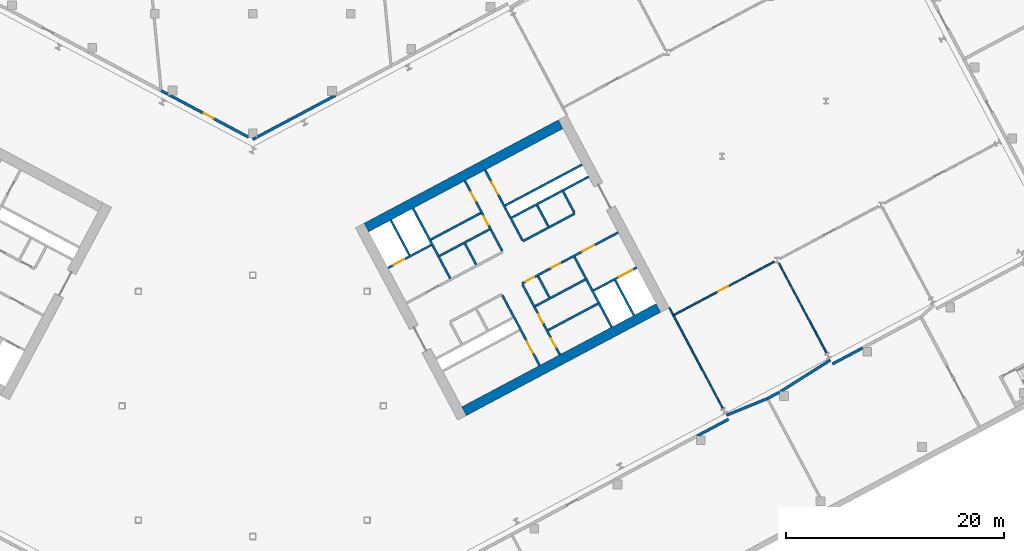
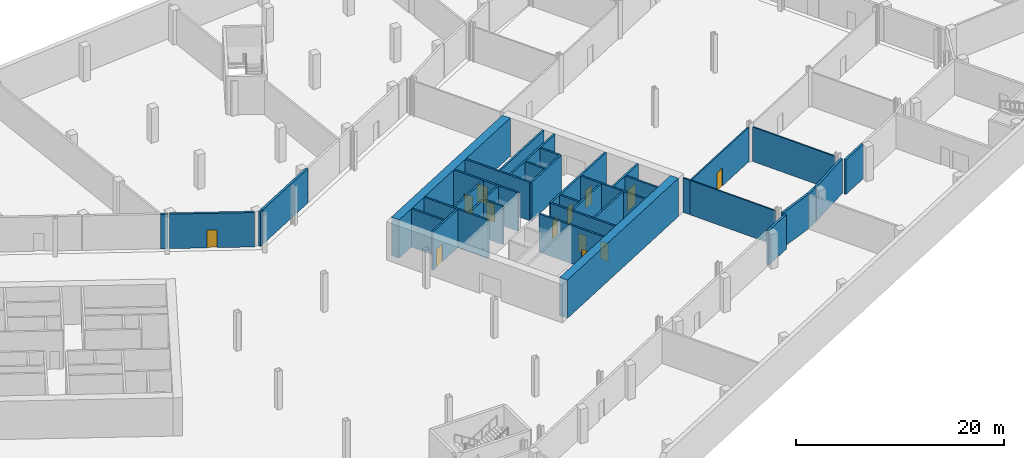
# One storey, part 13 of 27: 37 walls, 13 doors, 13 openings.
"""IFC4 building model written with IfcOpenShell, lengths in metres."""

from ifc_helpers import new_model, si_unit, direction, frame, frame_2d, origin, place, context, subcontext, project, spatial, rectangle, extrude, material, layer, layer_set, type_object, element, fill, save


model = new_model("IFC4")

# Units and contexts
model_context = context("Model", 3, precision=1e-05, world=origin(), true_north=direction((0.0, 1.0)))
body_context = subcontext(model_context, "Body", "Model", "MODEL_VIEW")
ifc_project = project(units=[si_unit("LENGTHUNIT", "METRE"), si_unit("AREAUNIT", "SQUARE_METRE"), si_unit("VOLUMEUNIT", "CUBIC_METRE"), si_unit("PLANEANGLEUNIT", "RADIAN"), si_unit("MASSUNIT", "GRAM", prefix="KILO")], contexts=[model_context])

# Site, building, storey
site_placement = place(None, origin())
site = spatial("IfcSite", under=ifc_project, at=site_placement, CompositionType="ELEMENT")
building_placement = place(site_placement, origin())
building = spatial("IfcBuilding", under=site, at=building_placement, Name="Cormorant Relay Tower", CompositionType="ELEMENT")
storey_placement = place(building_placement, frame((0.0, 0.0, -4.5)))
storey = spatial("IfcBuildingStorey", under=building, at=storey_placement, Name="B1", CompositionType="ELEMENT", Elevation=-4.5)

# Walls
ifc_material_1 = material(Name="Concrete 40 MPa", Category="concrete")
ifc_layer_1 = layer(ifc_material_1, 0.199951171875)
ifc_layer_set_1 = layer_set([ifc_layer_1], Name="Core internal wall 200")
wall_type_1 = type_object("IfcWallType", Name="Core internal wall 200", PredefinedType="SOLIDWALL", material=ifc_layer_set_1)
for number, where, z_axis, x_axis, name in (
    (1, (20.522216796875, 12.950439453125, 0.0), (0.0, 0.0, 1.0), (-0.469401318492, 0.882984938828, 0.0), "B1 core B shaft and room wall"),
    (2, (27.236083984375, 9.951416015625, 0.0), (0.0, 0.0, 1.0), (-0.4694473164, 0.882960484464, 0.0), "B1 core B shaft and room wall"),
    (3, (27.144287109375, 16.471435546875, 0.0), (0.0, 0.0, 1.0), (-0.469401318492, 0.882984938828, 0.0), "B1 core B shaft and room wall"),
):
    element("IfcWall", number, at=place(storey_placement, frame(where, z_axis=z_axis, x_axis=x_axis)), inside=storey, type_object=wall_type_1, Name=name, PredefinedType="SOLIDWALL", context=body_context, shape_type="SweptSolid", body=[
        extrude(rectangle(XDim=2.199951171875, YDim=0.199951171875, at=frame_2d((1.10009765625, 0.0))), origin(), (0.0, 0.0, 1.0), 4.5),
    ])
for number, where, z_axis, x_axis, name in (
    (4, (27.11474609375, 6.942138671875, 0.0), (0.0, 0.0, 1.0), (0.882934506056, 0.469496174655, 0.0), "B1 core B shaft and room wall"),
    (5, (16.3486328125, 15.26171875, 0.0), (0.0, 0.0, 1.0), (0.882953967957, 0.469459572775, 0.0), "B1 core B shaft and room wall"),
):
    element("IfcWall", number, at=place(storey_placement, frame(where, z_axis=z_axis, x_axis=x_axis)), inside=storey, type_object=wall_type_1, Name=name, PredefinedType="SOLIDWALL", context=body_context, shape_type="SweptSolid", body=[
        extrude(rectangle(XDim=5.199951171875, YDim=0.199951171875, at=frame_2d((2.60009765625, 0.0))), origin(), (0.0, 0.0, 1.0), 4.5),
    ])
ifc_material_2 = material(Name="Concrete 50 MPa", Category="concrete")
ifc_layer_2 = layer(ifc_material_2, 0.199951171875)
ifc_layer_set_2 = layer_set([ifc_layer_2], Name="Core shaft wall 200")
wall_type_2 = type_object("IfcWallType", Name="Core shaft wall 200", PredefinedType="SHEAR", material=ifc_layer_set_2)
wall_1_placement = place(storey_placement, frame((14.39404296875, 13.825927734375, 0.0), z_axis=(0.0, 0.0, 1.0), x_axis=(-0.469494272526, 0.882935517501, 0.0)))
element("IfcWall", 6, at=wall_1_placement, inside=storey, type_object=wall_type_2, Name="B1 core B shaft wall", PredefinedType="SHEAR", context=body_context, shape_type="SweptSolid", body=[
    extrude(rectangle(XDim=3.64990234375, YDim=0.199951171875, at=frame_2d((1.824951171875, 0.0))), origin(), (0.0, 0.0, 1.0), 4.5),
])
wall_2_placement = place(storey_placement, frame((18.138427734375, 11.682861328125, 0.0), z_axis=(0.0, 0.0, 1.0), x_axis=(-0.469480409012, 0.88294288918, 0.0)))
element("IfcWall", 7, at=wall_2_placement, inside=storey, type_object=wall_type_2, Name="B1 core B shaft wall", PredefinedType="SHEAR", context=body_context, shape_type="SweptSolid", body=[
    extrude(rectangle(XDim=7.300048828125, YDim=0.199951171875, at=frame_2d((3.64990234375, 0.0))), origin(), (0.0, 0.0, 1.0), 4.5),
])

# Wall, opening, door
wall_3_placement = place(storey_placement, frame((26.345947265625, 3.701904296875, 0.0), z_axis=(0.0, 0.0, 1.0), x_axis=(-0.469480409012, 0.88294288918, 0.0)))
wall_3 = element("IfcWall", 8, at=wall_3_placement, inside=storey, type_object=wall_type_2, Name="B1 core B shaft wall", PredefinedType="SHEAR", context=body_context, shape_type="SweptSolid", body=[
    extrude(rectangle(XDim=7.300048828125, YDim=0.199951171875, at=frame_2d((3.64990234375, 0.0))), origin(), (0.0, 0.0, 1.0), 4.5),
])
opening_1_placement = place(wall_3_placement, frame((1.300048828125, 0.0, 0.0)))
opening_1 = element("IfcOpeningElement", 9, at=opening_1_placement, cuts=wall_3, Name="Opening CDB-003", PredefinedType="OPENING", context=body_context, shape_type="SweptSolid", body=[
    extrude(rectangle(XDim=1.199951171875, YDim=2.10009765625, at=frame_2d((0.60009765625, 1.050048828125))), frame((0.0, 0.10986328125, 0.0), z_axis=(0.0, -1.0, 0.0), x_axis=(1.0, 0.0, 0.0)), (0.0, 0.0, 1.0), 0.219970703125),
])
ifc_material_3 = material(Name="Steel fire door", Category="steel")
door_type_1 = type_object("IfcDoorType", Name="Core stair door 1200x2100", OperationType="SINGLE_SWING_LEFT", PredefinedType="DOOR", material=ifc_material_3)
door_1_placement = place(opening_1_placement, origin())
door_1 = element("IfcDoor", 10, at=door_1_placement, inside=storey, type_object=door_type_1, Name="Core stair door 1200x2100", OperationType="SINGLE_SWING_RIGHT", OverallHeight=2.10009765625, OverallWidth=1.199951171875, PredefinedType="DOOR", context=body_context, shape_type="SweptSolid", body=[
    extrude(rectangle(XDim=1.199951171875, YDim=2.10009765625, at=frame_2d((0.60009765625, 1.050048828125))), frame((0.0, 0.02490234375, 0.0), z_axis=(0.0, -1.0, 0.0), x_axis=(1.0, 0.0, 0.0)), (0.0, 0.0, 1.0), 0.050048828125),
])
fill(opening_1, door_1)

# Wall, openings, doors
wall_4_placement = place(storey_placement, frame((22.90625, 14.218017578125, 0.0), z_axis=(0.0, 0.0, 1.0), x_axis=(-0.469480409012, 0.88294288918, 0.0)))
wall_4 = element("IfcWall", 11, at=wall_4_placement, inside=storey, type_object=wall_type_2, Name="B1 core B shaft wall", PredefinedType="SHEAR", context=body_context, shape_type="SweptSolid", body=[
    extrude(rectangle(XDim=7.300048828125, YDim=0.199951171875, at=frame_2d((3.64990234375, 0.0))), origin(), (0.0, 0.0, 1.0), 4.5),
])
opening_2_placement = place(wall_4_placement, frame((2.699951171875, 0.0, 0.0)))
opening_2 = element("IfcOpeningElement", 12, at=opening_2_placement, cuts=wall_4, Name="Opening CDD-031", PredefinedType="OPENING", context=body_context, shape_type="SweptSolid", body=[
    extrude(rectangle(XDim=0.89990234375, YDim=2.10009765625, at=frame_2d((0.449951171875, 1.050048828125))), frame((0.0, 0.10986328125, 0.0), z_axis=(0.0, -1.0, 0.0), x_axis=(1.0, 0.0, 0.0)), (0.0, 0.0, 1.0), 0.219970703125),
])
opening_3_placement = place(wall_4_placement, frame((5.199951171875, 0.0, 0.0)))
opening_3 = element("IfcOpeningElement", 13, at=opening_3_placement, cuts=wall_4, Name="Opening CDD-032", PredefinedType="OPENING", context=body_context, shape_type="SweptSolid", body=[
    extrude(rectangle(XDim=0.89990234375, YDim=2.10009765625, at=frame_2d((0.449951171875, 1.050048828125))), frame((0.0, 0.10986328125, 0.0), z_axis=(0.0, -1.0, 0.0), x_axis=(1.0, 0.0, 0.0)), (0.0, 0.0, 1.0), 0.219970703125),
])
ifc_material_4 = material(Name="Steel fire door", Category="steel")
door_type_2 = type_object("IfcDoorType", Name="Core room door 900x2100", OperationType="SINGLE_SWING_LEFT", PredefinedType="DOOR", material=ifc_material_4)
door_2_placement = place(opening_2_placement, origin())
door_2 = element("IfcDoor", 14, at=door_2_placement, inside=storey, type_object=door_type_2, Name="Core room door 900x2100", OperationType="SINGLE_SWING_RIGHT", OverallHeight=2.10009765625, OverallWidth=0.89990234375, PredefinedType="DOOR", context=body_context, shape_type="SweptSolid", body=[
    extrude(rectangle(XDim=0.89990234375, YDim=2.10009765625, at=frame_2d((0.449951171875, 1.050048828125))), frame((0.0, 0.02490234375, 0.0), z_axis=(0.0, -1.0, 0.0), x_axis=(1.0, 0.0, 0.0)), (0.0, 0.0, 1.0), 0.050048828125),
])
fill(opening_2, door_2)
door_3_placement = place(opening_3_placement, origin())
door_3 = element("IfcDoor", 15, at=door_3_placement, inside=storey, type_object=door_type_2, Name="Core room door 900x2100", OperationType="SINGLE_SWING_LEFT", OverallHeight=2.10009765625, OverallWidth=0.89990234375, PredefinedType="DOOR", context=body_context, shape_type="SweptSolid", body=[
    extrude(rectangle(XDim=0.89990234375, YDim=2.10009765625, at=frame_2d((0.449951171875, 1.050048828125))), frame((0.0, 0.02490234375, 0.0), z_axis=(0.0, -1.0, 0.0), x_axis=(1.0, 0.0, 0.0)), (0.0, 0.0, 1.0), 0.050048828125),
])
fill(opening_3, door_3)

wall_5_placement = place(storey_placement, frame((28.199951171875, 4.687744140625, 0.0), z_axis=(0.0, 0.0, 1.0), x_axis=(-0.469454336211, 0.882956752176, 0.0)))
wall_5 = element("IfcWall", 16, at=wall_5_placement, inside=storey, type_object=wall_type_2, Name="B1 core B shaft wall", PredefinedType="SHEAR", context=body_context, shape_type="SweptSolid", body=[
    extrude(rectangle(XDim=7.300048828125, YDim=0.199951171875, at=frame_2d((3.64990234375, 0.0))), origin(), (0.0, 0.0, 1.0), 4.5),
])
opening_4_placement = place(wall_5_placement, frame((0.800048828125, 0.0, 0.0)))
opening_4 = element("IfcOpeningElement", 17, at=opening_4_placement, cuts=wall_5, Name="Opening CDD-033", PredefinedType="OPENING", context=body_context, shape_type="SweptSolid", body=[
    extrude(rectangle(XDim=0.89990234375, YDim=2.10009765625, at=frame_2d((0.449951171875, 1.050048828125))), frame((0.0, 0.10986328125, 0.0), z_axis=(0.0, -1.0, 0.0), x_axis=(1.0, 0.0, 0.0)), (0.0, 0.0, 1.0), 0.219970703125),
])
opening_5_placement = place(wall_5_placement, frame((3.300048828125, 0.0, 0.0)))
opening_5 = element("IfcOpeningElement", 18, at=opening_5_placement, cuts=wall_5, Name="Opening CDD-034", PredefinedType="OPENING", context=body_context, shape_type="SweptSolid", body=[
    extrude(rectangle(XDim=0.89990234375, YDim=2.10009765625, at=frame_2d((0.449951171875, 1.050048828125))), frame((0.0, 0.10986328125, 0.0), z_axis=(0.0, -1.0, 0.0), x_axis=(1.0, 0.0, 0.0)), (0.0, 0.0, 1.0), 0.219970703125),
])
door_4_placement = place(opening_4_placement, frame((0.89990234375, 0.0, 0.0), z_axis=(0.0, 0.0, 1.0), x_axis=(-1.0, 0.0, 0.0)))
door_4 = element("IfcDoor", 19, at=door_4_placement, inside=storey, type_object=door_type_2, Name="Core room door 900x2100", OperationType="SINGLE_SWING_LEFT", OverallHeight=2.10009765625, OverallWidth=0.89990234375, PredefinedType="DOOR", context=body_context, shape_type="SweptSolid", body=[
    extrude(rectangle(XDim=0.89990234375, YDim=2.10009765625, at=frame_2d((0.449951171875, 1.050048828125))), frame((0.0, 0.02490234375, 0.0), z_axis=(0.0, -1.0, 0.0), x_axis=(1.0, 0.0, 0.0)), (0.0, 0.0, 1.0), 0.050048828125),
])
fill(opening_4, door_4)
door_5_placement = place(opening_5_placement, frame((0.89990234375, 0.0, 0.0), z_axis=(0.0, 0.0, 1.0), x_axis=(-1.0, 0.0, 0.0)))
door_5 = element("IfcDoor", 20, at=door_5_placement, inside=storey, type_object=door_type_2, Name="Core room door 900x2100", OperationType="SINGLE_SWING_LEFT", OverallHeight=2.10009765625, OverallWidth=0.89990234375, PredefinedType="DOOR", context=body_context, shape_type="SweptSolid", body=[
    extrude(rectangle(XDim=0.89990234375, YDim=2.10009765625, at=frame_2d((0.449951171875, 1.050048828125))), frame((0.0, 0.02490234375, 0.0), z_axis=(0.0, -1.0, 0.0), x_axis=(1.0, 0.0, 0.0)), (0.0, 0.0, 1.0), 0.050048828125),
])
fill(opening_5, door_5)

# Wall, opening, door
wall_6_placement = place(storey_placement, frame((24.760498046875, 15.2041015625, 0.0), z_axis=(0.0, 0.0, 1.0), x_axis=(-0.469494272526, 0.882935517501, 0.0)))
wall_6 = element("IfcWall", 21, at=wall_6_placement, inside=storey, type_object=wall_type_2, Name="B1 core B shaft wall", PredefinedType="SHEAR", context=body_context, shape_type="SweptSolid", body=[
    extrude(rectangle(XDim=7.2998046875, YDim=0.199951171875, at=frame_2d((3.64990234375, 0.0))), origin(), (0.0, 0.0, 1.0), 4.5),
])
opening_6_placement = place(wall_6_placement, frame((4.800048828125, 0.0, 0.0)))
opening_6 = element("IfcOpeningElement", 22, at=opening_6_placement, cuts=wall_6, Name="Opening CDB-004", PredefinedType="OPENING", context=body_context, shape_type="SweptSolid", body=[
    extrude(rectangle(XDim=1.199951171875, YDim=2.10009765625, at=frame_2d((0.60009765625, 1.050048828125))), frame((0.0, 0.10986328125, 0.0), z_axis=(0.0, -1.0, 0.0), x_axis=(1.0, 0.0, 0.0)), (0.0, 0.0, 1.0), 0.219970703125),
])
door_6_placement = place(opening_6_placement, frame((1.199951171875, 0.0, 0.0), z_axis=(0.0, 0.0, 1.0), x_axis=(-1.0, 0.0, 0.0)))
door_6 = element("IfcDoor", 23, at=door_6_placement, inside=storey, type_object=door_type_1, Name="Core stair door 1200x2100", OperationType="SINGLE_SWING_RIGHT", OverallHeight=2.10009765625, OverallWidth=1.199951171875, PredefinedType="DOOR", context=body_context, shape_type="SweptSolid", body=[
    extrude(rectangle(XDim=1.199951171875, YDim=2.10009765625, at=frame_2d((0.60009765625, 1.050048828125))), frame((0.0, 0.02490234375, 0.0), z_axis=(0.0, -1.0, 0.0), x_axis=(1.0, 0.0, 0.0)), (0.0, 0.0, 1.0), 0.050048828125),
])
fill(opening_6, door_6)

# Walls
wall_7_placement = place(storey_placement, frame((32.968017578125, 7.222900390625, 0.0), z_axis=(0.0, 0.0, 1.0), x_axis=(-0.469480409012, 0.88294288918, 0.0)))
element("IfcWall", 24, at=wall_7_placement, inside=storey, type_object=wall_type_2, Name="B1 core B shaft wall", PredefinedType="SHEAR", context=body_context, shape_type="SweptSolid", body=[
    extrude(rectangle(XDim=7.300048828125, YDim=0.199951171875, at=frame_2d((3.64990234375, 0.0))), origin(), (0.0, 0.0, 1.0), 4.5),
])
wall_8_placement = place(storey_placement, frame((29.5283203125, 17.739013671875, 0.0), z_axis=(0.0, 0.0, 1.0), x_axis=(-0.469401318492, 0.882984938828, 0.0)))
element("IfcWall", 25, at=wall_8_placement, inside=storey, type_object=wall_type_2, Name="B1 core B shaft wall", PredefinedType="SHEAR", context=body_context, shape_type="SweptSolid", body=[
    extrude(rectangle(XDim=2.199951171875, YDim=0.199951171875, at=frame_2d((1.10009765625, 0.0))), origin(), (0.0, 0.0, 1.0), 4.5),
])
wall_9_placement = place(storey_placement, frame((34.998779296875, 8.302734375, 0.0), z_axis=(0.0, 0.0, 1.0), x_axis=(-0.4694665462, 0.882950260207, 0.0)))
element("IfcWall", 26, at=wall_9_placement, inside=storey, type_object=wall_type_2, Name="B1 core B shaft wall", PredefinedType="SHEAR", context=body_context, shape_type="SweptSolid", body=[
    extrude(rectangle(XDim=3.650146484375, YDim=0.199951171875, at=frame_2d((1.8251953125, 0.0))), origin(), (0.0, 0.0, 1.0), 4.5),
])

# Wall, opening, door
wall_10_placement = place(storey_placement, frame((31.295654296875, 10.5810546875, 0.0), z_axis=(0.0, 0.0, 1.0), x_axis=(0.882960433586, 0.469447412093, 0.0)))
wall_10 = element("IfcWall", 27, at=wall_10_placement, inside=storey, type_object=wall_type_2, Name="B1 core B shaft wall", PredefinedType="SHEAR", context=body_context, shape_type="SweptSolid", body=[
    extrude(rectangle(XDim=4.5, YDim=0.199951171875, at=frame_2d((2.25, 0.0))), origin(), (0.0, 0.0, 1.0), 4.5),
])
opening_7_placement = place(wall_10_placement, frame((2.64990234375, 0.0, 0.0)))
opening_7 = element("IfcOpeningElement", 28, at=opening_7_placement, cuts=wall_10, Name="Opening LD3-002", PredefinedType="OPENING", context=body_context, shape_type="SweptSolid", body=[
    extrude(rectangle(XDim=1.39990234375, YDim=2.39990234375, at=frame_2d((0.699951171875, 1.199951171875))), frame((0.0, 0.10986328125, 0.0), z_axis=(0.0, -1.0, 0.0), x_axis=(1.0, 0.0, 0.0)), (0.0, 0.0, 1.0), 0.219970703125),
])
ifc_material_5 = material(Name="Stainless steel 316", Category="steel")
door_type_3 = type_object("IfcDoorType", Name="Lift landing door 1400x2400", OperationType="DOUBLE_DOOR_SLIDING", PredefinedType="DOOR", material=ifc_material_5)
door_7_placement = place(opening_7_placement, origin())
door_7 = element("IfcDoor", 29, at=door_7_placement, inside=storey, type_object=door_type_3, Name="SV2 landing door", OperationType="DOUBLE_DOOR_SLIDING", OverallHeight=2.39990234375, OverallWidth=1.39990234375, PredefinedType="DOOR", context=body_context, shape_type="SweptSolid", body=[
    extrude(rectangle(XDim=1.39990234375, YDim=2.39990234375, at=frame_2d((0.699951171875, 1.199951171875))), frame((0.0, 0.02490234375, 0.0), z_axis=(0.0, -1.0, 0.0), x_axis=(1.0, 0.0, 0.0)), (0.0, 0.0, 1.0), 0.050048828125),
])
fill(opening_7, door_7)

# Wall
wall_11_placement = place(storey_placement, frame((25.94091796875, 9.149658203125, 0.0), z_axis=(0.0, 0.0, 1.0), x_axis=(0.882953967957, 0.469459572775, 0.0)))
element("IfcWall", 30, at=wall_11_placement, inside=storey, type_object=wall_type_2, Name="B1 core B shaft wall", PredefinedType="SHEAR", context=body_context, shape_type="SweptSolid", body=[
    extrude(rectangle(XDim=5.199951171875, YDim=0.199951171875, at=frame_2d((2.60009765625, 0.0))), origin(), (0.0, 0.0, 1.0), 4.5),
])

# Wall, openings, doors
wall_12_placement = place(storey_placement, frame((24.72607421875, 11.2216796875, 0.0), z_axis=(0.0, 0.0, 1.0), x_axis=(0.882940221191, 0.469485426614, 0.0)))
wall_12 = element("IfcWall", 31, at=wall_12_placement, inside=storey, type_object=wall_type_2, Name="B1 core B shaft wall", PredefinedType="SHEAR", context=body_context, shape_type="SweptSolid", body=[
    extrude(rectangle(XDim=10.0, YDim=0.199951171875, at=frame_2d((5.0, 0.0))), origin(), (0.0, 0.0, 1.0), 4.5),
])
opening_8_placement = place(wall_12_placement, frame((6.300048828125, 0.0, 0.0)))
opening_8 = element("IfcOpeningElement", 32, at=opening_8_placement, cuts=wall_12, Name="Opening CDC-004", PredefinedType="OPENING", context=body_context, shape_type="SweptSolid", body=[
    extrude(rectangle(XDim=1.199951171875, YDim=2.10009765625, at=frame_2d((0.60009765625, 1.050048828125))), frame((0.0, 0.10986328125, 0.0), z_axis=(0.0, -1.0, 0.0), x_axis=(1.0, 0.0, 0.0)), (0.0, 0.0, 1.0), 0.219970703125),
])
opening_9_placement = place(wall_12_placement, frame((0.360107421875, 0.0, 0.0)))
opening_9 = element("IfcOpeningElement", 33, at=opening_9_placement, cuts=wall_12, Name="Opening CDD-029", PredefinedType="OPENING", context=body_context, shape_type="SweptSolid", body=[
    extrude(rectangle(XDim=0.89990234375, YDim=2.10009765625, at=frame_2d((0.449951171875, 1.050048828125))), frame((0.0, 0.10986328125, 0.0), z_axis=(0.0, -1.0, 0.0), x_axis=(1.0, 0.0, 0.0)), (0.0, 0.0, 1.0), 0.219970703125),
])
opening_10_placement = place(wall_12_placement, frame((3.06005859375, 0.0, 0.0)))
opening_10 = element("IfcOpeningElement", 34, at=opening_10_placement, cuts=wall_12, Name="Opening CDD-030", PredefinedType="OPENING", context=body_context, shape_type="SweptSolid", body=[
    extrude(rectangle(XDim=0.89990234375, YDim=2.10009765625, at=frame_2d((0.449951171875, 1.050048828125))), frame((0.0, 0.10986328125, 0.0), z_axis=(0.0, -1.0, 0.0), x_axis=(1.0, 0.0, 0.0)), (0.0, 0.0, 1.0), 0.219970703125),
])
ifc_material_6 = material(Name="Steel fire door", Category="steel")
door_type_4 = type_object("IfcDoorType", Name="Core lobby door 1200x2100", OperationType="SINGLE_SWING_LEFT", PredefinedType="DOOR", material=ifc_material_6)
door_8_placement = place(opening_8_placement, frame((1.199951171875, 0.0, 0.0), z_axis=(0.0, 0.0, 1.0), x_axis=(-1.0, 0.0, 0.0)))
door_8 = element("IfcDoor", 35, at=door_8_placement, inside=storey, type_object=door_type_4, Name="Core lobby door 1200x2100", OperationType="SINGLE_SWING_RIGHT", OverallHeight=2.10009765625, OverallWidth=1.199951171875, PredefinedType="DOOR", context=body_context, shape_type="SweptSolid", body=[
    extrude(rectangle(XDim=1.199951171875, YDim=2.10009765625, at=frame_2d((0.60009765625, 1.050048828125))), frame((0.0, 0.02490234375, 0.0), z_axis=(0.0, -1.0, 0.0), x_axis=(1.0, 0.0, 0.0)), (0.0, 0.0, 1.0), 0.050048828125),
])
fill(opening_8, door_8)
door_9_placement = place(opening_9_placement, frame((0.89990234375, 0.0, 0.0), z_axis=(0.0, 0.0, 1.0), x_axis=(-1.0, 0.0, 0.0)))
door_9 = element("IfcDoor", 36, at=door_9_placement, inside=storey, type_object=door_type_2, Name="Core room door 900x2100", OperationType="SINGLE_SWING_RIGHT", OverallHeight=2.10009765625, OverallWidth=0.89990234375, PredefinedType="DOOR", context=body_context, shape_type="SweptSolid", body=[
    extrude(rectangle(XDim=0.89990234375, YDim=2.10009765625, at=frame_2d((0.449951171875, 1.050048828125))), frame((0.0, 0.02490234375, 0.0), z_axis=(0.0, -1.0, 0.0), x_axis=(1.0, 0.0, 0.0)), (0.0, 0.0, 1.0), 0.050048828125),
])
fill(opening_9, door_9)
door_10_placement = place(opening_10_placement, frame((0.89990234375, 0.0, 0.0), z_axis=(0.0, 0.0, 1.0), x_axis=(-1.0, 0.0, 0.0)))
door_10 = element("IfcDoor", 37, at=door_10_placement, inside=storey, type_object=door_type_2, Name="Core room door 900x2100", OperationType="SINGLE_SWING_RIGHT", OverallHeight=2.10009765625, OverallWidth=0.89990234375, PredefinedType="DOOR", context=body_context, shape_type="SweptSolid", body=[
    extrude(rectangle(XDim=0.89990234375, YDim=2.10009765625, at=frame_2d((0.449951171875, 1.050048828125))), frame((0.0, 0.02490234375, 0.0), z_axis=(0.0, -1.0, 0.0), x_axis=(1.0, 0.0, 0.0)), (0.0, 0.0, 1.0), 0.050048828125),
])
fill(opening_10, door_10)

# Walls
wall_13_placement = place(storey_placement, frame((24.807373046875, 15.11572265625, 0.0), z_axis=(0.0, 0.0, 1.0), x_axis=(0.882942972946, 0.469480251476, 0.0)))
element("IfcWall", 38, at=wall_13_placement, inside=storey, type_object=wall_type_2, Name="B1 core B shaft wall", PredefinedType="SHEAR", context=body_context, shape_type="SweptSolid", body=[
    extrude(rectangle(XDim=5.39990234375, YDim=0.199951171875, at=frame_2d((2.699951171875, 0.0))), origin(), (0.0, 0.0, 1.0), 4.5),
])
wall_14_placement = place(storey_placement, frame((17.146728515625, 13.7607421875, 0.0), z_axis=(0.0, 0.0, 1.0), x_axis=(0.882964314875, 0.469440111896, 0.0)))
element("IfcWall", 39, at=wall_14_placement, inside=storey, type_object=wall_type_2, Name="B1 core B shaft wall", PredefinedType="SHEAR", context=body_context, shape_type="SweptSolid", body=[
    extrude(rectangle(XDim=5.2001953125, YDim=0.199951171875, at=frame_2d((2.60009765625, 0.0))), origin(), (0.0, 0.0, 1.0), 4.5),
])
wall_15_placement = place(storey_placement, frame((23.76904296875, 17.28173828125, 0.0), z_axis=(0.0, 0.0, 1.0), x_axis=(0.882940221191, 0.469485426614, 0.0)))
element("IfcWall", 40, at=wall_15_placement, inside=storey, type_object=wall_type_2, Name="B1 core B shaft wall", PredefinedType="SHEAR", context=body_context, shape_type="SweptSolid", body=[
    extrude(rectangle(XDim=8.0, YDim=0.199951171875, at=frame_2d((4.0, 0.0))), origin(), (0.0, 0.0, 1.0), 4.5),
])

# Wall, opening, door
wall_16_placement = place(storey_placement, frame((12.41015625, 12.657958984375, 0.0), z_axis=(0.0, 0.0, 1.0), x_axis=(0.8829484765, 0.469469900894, 0.0)))
wall_16 = element("IfcWall", 41, at=wall_16_placement, inside=storey, type_object=wall_type_2, Name="B1 core B shaft wall", PredefinedType="SHEAR", context=body_context, shape_type="SweptSolid", body=[
    extrude(rectangle(XDim=4.499755859375, YDim=0.199951171875, at=frame_2d((2.25, 0.0))), origin(), (0.0, 0.0, 1.0), 4.5),
])
opening_11_placement = place(wall_16_placement, frame((0.60009765625, 0.0, 0.0)))
opening_11 = element("IfcOpeningElement", 42, at=opening_11_placement, cuts=wall_16, Name="Opening LD1-002", PredefinedType="OPENING", context=body_context, shape_type="SweptSolid", body=[
    extrude(rectangle(XDim=1.10009765625, YDim=2.10009765625, at=frame_2d((0.550048828125, 1.050048828125))), frame((0.0, 0.10986328125, 0.0), z_axis=(0.0, -1.0, 0.0), x_axis=(1.0, 0.0, 0.0)), (0.0, 0.0, 1.0), 0.219970703125),
])
ifc_material_7 = material(Name="Stainless steel 316", Category="steel")
door_type_5 = type_object("IfcDoorType", Name="Lift landing door 1100x2100", OperationType="DOUBLE_DOOR_SLIDING", PredefinedType="DOOR", material=ifc_material_7)
door_11_placement = place(opening_11_placement, origin())
door_11 = element("IfcDoor", 43, at=door_11_placement, inside=storey, type_object=door_type_5, Name="FF2 landing door", OperationType="DOUBLE_DOOR_SLIDING", OverallHeight=2.10009765625, OverallWidth=1.10009765625, PredefinedType="DOOR", context=body_context, shape_type="SweptSolid", body=[
    extrude(rectangle(XDim=1.10009765625, YDim=2.10009765625, at=frame_2d((0.550048828125, 1.050048828125))), frame((0.0, 0.02490234375, 0.0), z_axis=(0.0, -1.0, 0.0), x_axis=(1.0, 0.0, 0.0)), (0.0, 0.0, 1.0), 0.050048828125),
])
fill(opening_11, door_11)

# Walls
wall_17_placement = place(storey_placement, frame((23.18212890625, 18.385498046875, 0.0), z_axis=(0.0, 0.0, 1.0), x_axis=(0.88295287151, 0.469461634952, 0.0)))
element("IfcWall", 44, at=wall_17_placement, inside=storey, type_object=wall_type_2, Name="B1 core B shaft wall", PredefinedType="SHEAR", context=body_context, shape_type="SweptSolid", body=[
    extrude(rectangle(XDim=7.999755859375, YDim=0.199951171875, at=frame_2d((4.0, 0.0))), origin(), (0.0, 0.0, 1.0), 4.5),
])
ifc_material_8 = material(Name="Concrete 70 MPa", Category="concrete")
ifc_layer_3 = layer(ifc_material_8, 0.89990234375)
ifc_layer_set_3 = layer_set([ifc_layer_3], Name="Core wall 900")
wall_type_3 = type_object("IfcWallType", Name="Core wall 900", PredefinedType="SHEAR", material=ifc_layer_set_3)
for number, where, z_axis, x_axis, name in (
    (45, (19.4052734375, -0.498046875, 0.0), (0.0, 0.0, 1.0), (0.88294509198, 0.469476266226, 0.0), "B1 core B wall"),
    (46, (10.4384765625, 16.3662109375, 0.0), (0.0, 0.0, 1.0), (0.88294509198, 0.469476266226, 0.0), "B1 core B wall"),
):
    element("IfcWall", number, at=place(storey_placement, frame(where, z_axis=z_axis, x_axis=x_axis)), inside=storey, type_object=wall_type_3, Name=name, PredefinedType="SHEAR", context=body_context, shape_type="SweptSolid", body=[
        extrude(rectangle(XDim=20.199951171875, YDim=0.89990234375, at=frame_2d((10.10009765625, 0.0))), origin(), (0.0, 0.0, 1.0), 4.5),
    ])
ifc_material_9 = material(Name="Concrete masonry 20 MPa", Category="masonry")
ifc_layer_4 = layer(ifc_material_9, 0.25)
ifc_layer_set_4 = layer_set([ifc_layer_4], Name="Fire separation wall 250")
wall_type_4 = type_object("IfcWallType", Name="Fire separation wall 250", PredefinedType="SOLIDWALL", material=ifc_layer_set_4)
wall_18_placement = place(storey_placement, frame((47.26953125, 0.670166015625, 0.0), z_axis=(0.0, 0.0, 1.0), x_axis=(-0.925490593681, -0.378770591531, 0.0)))
element("IfcWall", 47, at=wall_18_placement, inside=storey, type_object=wall_type_4, Name="Partition", PredefinedType="SOLIDWALL", context=body_context, shape_type="SweptSolid", body=[
    extrude(rectangle(XDim=4.07177734375, YDim=0.25, at=frame_2d((2.035888671875, 0.0))), origin(), (0.0, 0.0, 1.0), 4.050048828125),
])
wall_19_placement = place(storey_placement, frame((43.698974609375, -1.228515625, 0.0), z_axis=(0.0, 0.0, 1.0), x_axis=(-0.882959571528, -0.469449033492, 0.0)))
element("IfcWall", 48, at=wall_19_placement, inside=storey, type_object=wall_type_4, Name="Partition", PredefinedType="SOLIDWALL", context=body_context, shape_type="SweptSolid", body=[
    extrude(rectangle(XDim=3.26025390625, YDim=0.25, at=frame_2d((1.630126953125, 0.0))), origin(), (0.0, 0.0, 1.0), 4.050048828125),
])
wall_20_placement = place(storey_placement, frame((53.037353515625, 4.197998046875, 0.0), z_axis=(0.0, 0.0, 1.0), x_axis=(-0.845143693755, -0.534539181825, 0.0)))
element("IfcWall", 49, at=wall_20_placement, inside=storey, type_object=wall_type_4, Name="Partition", PredefinedType="SOLIDWALL", context=body_context, shape_type="SweptSolid", body=[
    extrude(rectangle(XDim=5.4140625, YDim=0.25, at=frame_2d((2.70703125, 0.0))), origin(), (0.0, 0.0, 1.0), 4.050048828125),
])
wall_21_placement = place(storey_placement, frame((48.375, 1.2578125, 0.0), z_axis=(0.0, 0.0, 1.0), x_axis=(-0.883006084416, -0.469361539631, 0.0)))
element("IfcWall", 50, at=wall_21_placement, inside=storey, type_object=wall_type_4, Name="Partition", PredefinedType="SOLIDWALL", context=body_context, shape_type="SweptSolid", body=[
    extrude(rectangle(XDim=1.239990234375, YDim=0.25, at=frame_2d((0.6201171875, 0.0))), origin(), (0.0, 0.0, 1.0), 4.050048828125),
])
wall_22_placement = place(storey_placement, frame((56.01708984375, 5.3212890625, 0.0), z_axis=(0.0, 0.0, 1.0), x_axis=(-0.882921481106, -0.469520668555, 0.0)))
element("IfcWall", 51, at=wall_22_placement, inside=storey, type_object=wall_type_4, Name="Partition", PredefinedType="SOLIDWALL", context=body_context, shape_type="SweptSolid", body=[
    extrude(rectangle(XDim=3.158447265625, YDim=0.25, at=frame_2d((1.5791015625, 0.0))), origin(), (0.0, 0.0, 1.0), 4.050048828125),
])
wall_23_placement = place(storey_placement, frame((-8.40673828125, 28.933349609375, 0.0), z_axis=(0.0, 0.0, 1.0), x_axis=(0.88302789325, -0.469320508547, 0.0)))
element("IfcWall", 52, at=wall_23_placement, inside=storey, type_object=wall_type_4, Name="Partition", PredefinedType="SOLIDWALL", context=body_context, shape_type="SweptSolid", body=[
    extrude(rectangle(XDim=0.719970703125, YDim=0.25, at=frame_2d((0.35986328125, 0.0))), origin(), (0.0, 0.0, 1.0), 4.050048828125),
])

# Wall, opening, door
wall_24_placement = place(storey_placement, frame((-7.68359375, 28.549072265625, 0.0), z_axis=(0.0, 0.0, 1.0), x_axis=(0.882947828207, -0.46947112016, 0.0)))
wall_24 = element("IfcWall", 53, at=wall_24_placement, inside=storey, type_object=wall_type_4, Name="Partition", PredefinedType="SOLIDWALL", context=body_context, shape_type="SweptSolid", body=[
    extrude(rectangle(XDim=8.249267578125, YDim=0.25, at=frame_2d((4.12451171875, 0.0))), origin(), (0.0, 0.0, 1.0), 4.050048828125),
])
opening_12_placement = place(wall_24_placement, frame((3.625, 0.0, 0.0)))
opening_12 = element("IfcOpeningElement", 54, at=opening_12_placement, cuts=wall_24, Name="Opening PD1-038", PredefinedType="OPENING", context=body_context, shape_type="SweptSolid", body=[
    extrude(rectangle(XDim=1.0, YDim=2.10009765625, at=frame_2d((0.5, 1.050048828125))), frame((0.0, 0.135009765625, 0.0), z_axis=(0.0, -1.0, 0.0), x_axis=(1.0, 0.0, 0.0)), (0.0, 0.0, 1.0), 0.27001953125),
])
ifc_material_10 = material(Name="Steel door leaf", Category="steel")
door_type_6 = type_object("IfcDoorType", Name="Door single 1000", OperationType="SINGLE_SWING_LEFT", PredefinedType="DOOR", material=ifc_material_10)
door_12_placement = place(opening_12_placement, origin())
door_12 = element("IfcDoor", 55, at=door_12_placement, inside=storey, type_object=door_type_6, Name="Door", OperationType="SINGLE_SWING_RIGHT", OverallHeight=2.10009765625, OverallWidth=1.0, PredefinedType="DOOR", context=body_context, shape_type="SweptSolid", body=[
    extrude(rectangle(XDim=1.0, YDim=2.10009765625, at=frame_2d((0.5, 1.050048828125))), frame((0.0, 0.02490234375, 0.0), z_axis=(0.0, -1.0, 0.0), x_axis=(1.0, 0.0, 0.0)), (0.0, 0.0, 1.0), 0.050048828125),
])
fill(opening_12, door_12)

# Walls
wall_25_placement = place(storey_placement, frame((0.0, 24.46337890625, 0.0), z_axis=(0.0, 0.0, 1.0), x_axis=(0.882848088474, 0.469658655491, 0.0)))
element("IfcWall", 56, at=wall_25_placement, inside=storey, type_object=wall_type_4, Name="Partition", PredefinedType="SOLIDWALL", context=body_context, shape_type="SweptSolid", body=[
    extrude(rectangle(XDim=0.3544921875, YDim=0.25, at=frame_2d((0.17724609375, 0.0))), origin(), (0.0, 0.0, 1.0), 4.050048828125),
])
wall_26_placement = place(storey_placement, frame((0.39990234375, 24.67626953125, 0.0), z_axis=(0.0, 0.0, 1.0), x_axis=(0.882954609474, 0.469458366214, 0.0)))
element("IfcWall", 57, at=wall_26_placement, inside=storey, type_object=wall_type_4, Name="Partition", PredefinedType="SOLIDWALL", context=body_context, shape_type="SweptSolid", body=[
    extrude(rectangle(XDim=8.14501953125, YDim=0.25, at=frame_2d((4.072509765625, 0.0))), origin(), (0.0, 0.0, 1.0), 4.050048828125),
])

# Wall, opening, door
ifc_material_11 = material(Name="Gypsum board on steel stud", Category="steel")
ifc_layer_5 = layer(ifc_material_11, 0.14990234375)
ifc_layer_set_5 = layer_set([ifc_layer_5], Name="Partition 150")
wall_type_5 = type_object("IfcWallType", Name="Partition 150", PredefinedType="PARTITIONING", material=ifc_layer_set_5)
wall_27_placement = place(storey_placement, frame((38.622314453125, 8.30419921875, 0.0), z_axis=(0.0, 0.0, 1.0), x_axis=(0.882956451437, 0.469454901845, 0.0)))
wall_27 = element("IfcWall", 58, at=wall_27_placement, inside=storey, type_object=wall_type_5, Name="Partition", PredefinedType="PARTITIONING", context=body_context, shape_type="SweptSolid", body=[
    extrude(rectangle(XDim=10.50244140625, YDim=0.14990234375, at=frame_2d((5.251220703125, 0.0))), origin(), (0.0, 0.0, 1.0), 4.050048828125),
])
opening_13_placement = place(wall_27_placement, frame((4.673095703125, 0.0, 0.0)))
opening_13 = element("IfcOpeningElement", 59, at=opening_13_placement, cuts=wall_27, Name="Opening PD1-050", PredefinedType="OPENING", context=body_context, shape_type="SweptSolid", body=[
    extrude(rectangle(XDim=1.0, YDim=2.10009765625, at=frame_2d((0.5, 1.050048828125))), frame((0.0, 0.0849609375, 0.0), z_axis=(0.0, -1.0, 0.0), x_axis=(1.0, 0.0, 0.0)), (0.0, 0.0, 1.0), 0.169921875),
])
door_13_placement = place(opening_13_placement, frame((1.0, 0.0, 0.0), z_axis=(0.0, 0.0, 1.0), x_axis=(-1.0, 0.0, 0.0)))
door_13 = element("IfcDoor", 60, at=door_13_placement, inside=storey, type_object=door_type_6, Name="Door", OperationType="SINGLE_SWING_RIGHT", OverallHeight=2.10009765625, OverallWidth=1.0, PredefinedType="DOOR", context=body_context, shape_type="SweptSolid", body=[
    extrude(rectangle(XDim=1.0, YDim=2.10009765625, at=frame_2d((0.5, 1.050048828125))), frame((0.0, 0.02490234375, 0.0), z_axis=(0.0, -1.0, 0.0), x_axis=(1.0, 0.0, 0.0)), (0.0, 0.0, 1.0), 0.050048828125),
])
fill(opening_13, door_13)

# Walls
wall_28_placement = place(storey_placement, frame((38.24658203125, 9.010498046875, 0.0), z_axis=(0.0, 0.0, 1.0), x_axis=(0.469454908155, -0.882956448082, 0.0)))
element("IfcWall", 61, at=wall_28_placement, inside=storey, type_object=wall_type_5, Name="Partition", PredefinedType="PARTITIONING", context=body_context, shape_type="SweptSolid", body=[
    extrude(rectangle(XDim=0.794189453125, YDim=0.14990234375, at=frame_2d((0.39697265625, 0.0))), origin(), (0.0, 0.0, 1.0), 4.050048828125),
])
wall_29_placement = place(storey_placement, frame((52.704345703125, 4.824462890625, 0.0), z_axis=(0.0, 0.0, 1.0), x_axis=(-0.469494001944, 0.882935661381, 0.0)))
element("IfcWall", 62, at=wall_29_placement, inside=storey, type_object=wall_type_5, Name="Partition", PredefinedType="PARTITIONING", context=body_context, shape_type="SweptSolid", body=[
    extrude(rectangle(XDim=9.3251953125, YDim=0.14990234375, at=frame_2d((4.66259765625, 0.0))), origin(), (0.0, 0.0, 1.0), 4.050048828125),
])
wall_30_placement = place(storey_placement, frame((38.620361328125, 8.3076171875, 0.0), z_axis=(0.0, 0.0, 1.0), x_axis=(0.469473365889, -0.882946634129, 0.0)))
element("IfcWall", 63, at=wall_30_placement, inside=storey, type_object=wall_type_5, Name="Partition", PredefinedType="PARTITIONING", context=body_context, shape_type="SweptSolid", body=[
    extrude(rectangle(XDim=9.687255859375, YDim=0.14990234375, at=frame_2d((4.84375, 0.0))), origin(), (0.0, 0.0, 1.0), 4.050048828125),
])

save(model, "model.ifc")
